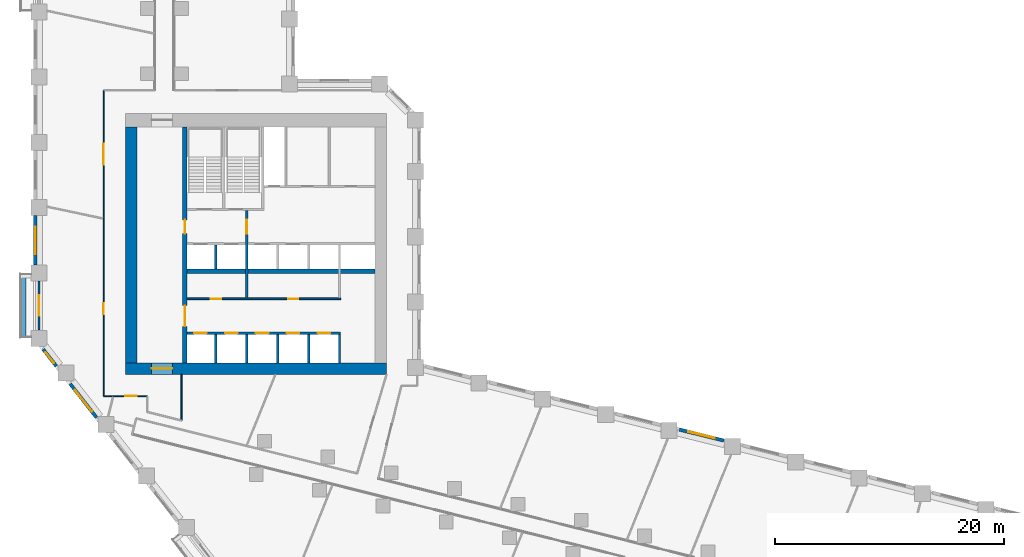
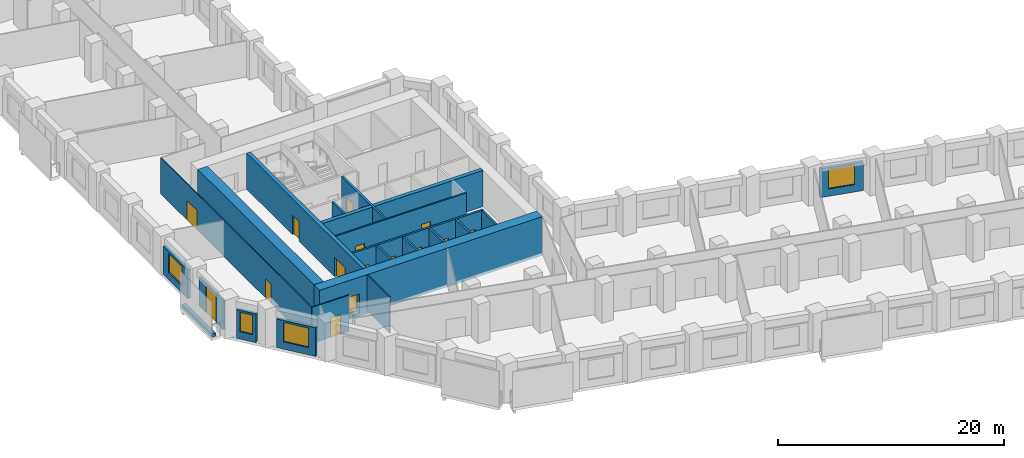
# One storey, part 4 of 11: 22 walls, 15 doors, 4 windows, 19 openings.
"""IFC4 building model written with IfcOpenShell, lengths in metres."""

from ifc_helpers import new_model, si_unit, direction, frame, frame_2d, origin, place, context, subcontext, project, spatial, rectangle, extrude, material, layer, layer_set, type_object, element, fill, save


model = new_model("IFC4")

# Units and contexts
model_context = context("Model", 3, precision=1e-05, world=origin(), true_north=direction((0.0, 1.0)))
body_context = subcontext(model_context, "Body", "Model", "MODEL_VIEW")
ifc_project = project(units=[si_unit("LENGTHUNIT", "METRE"), si_unit("AREAUNIT", "SQUARE_METRE"), si_unit("VOLUMEUNIT", "CUBIC_METRE"), si_unit("PLANEANGLEUNIT", "RADIAN"), si_unit("MASSUNIT", "GRAM", prefix="KILO")], contexts=[model_context])

# Site, building, storey
site_placement = place(None, origin())
site = spatial("IfcSite", under=ifc_project, at=site_placement, CompositionType="ELEMENT")
building_placement = place(site_placement, origin())
building = spatial("IfcBuilding", under=site, at=building_placement, Name="Meshkara Civic Tower", CompositionType="ELEMENT")
storey_placement = place(building_placement, frame((0.0, 0.0, 37.199951171875)))
storey = spatial("IfcBuildingStorey", under=building, at=storey_placement, Name="L07", CompositionType="ELEMENT", Elevation=37.199951171875)

# Wall, openings, doors
ifc_material_1 = material(Name="Blockwork", Category="masonry")
ifc_layer_1 = layer(ifc_material_1, 0.14990234375)
ifc_layer_set_1 = layer_set([ifc_layer_1], Name="Core partition 150")
wall_type_1 = type_object("IfcWallType", Name="Core partition 150", PredefinedType="PARTITIONING", material=ifc_layer_set_1)
wall_1_placement = place(storey_placement, frame((13.39990234375, 20.699951171875, 0.0), z_axis=(0.0, 0.0, 1.0), x_axis=(1.0, 0.0, 0.0)))
wall_1 = element("IfcWall", 1, at=wall_1_placement, inside=storey, type_object=wall_type_1, Name="L07-C006", PredefinedType="PARTITIONING", context=body_context, shape_type="SweptSolid", body=[
    extrude(rectangle(XDim=13.400146484375, YDim=0.14990234375, at=frame_2d((6.7001953125, 0.0))), origin(), (0.0, 0.0, 1.0), 3.900146484375),
])
opening_1_placement = place(wall_1_placement, frame((2.050048828125, 0.0, 0.0)))
opening_1 = element("IfcOpeningElement", 2, at=opening_1_placement, cuts=wall_1, Name="Opening L07-K010", PredefinedType="OPENING", context=body_context, shape_type="SweptSolid", body=[
    extrude(rectangle(XDim=0.89990234375, YDim=2.10009765625, at=frame_2d((0.449951171875, 1.050048828125))), frame((0.0, 0.0849609375, 0.0), z_axis=(0.0, -1.0, 0.0), x_axis=(1.0, 0.0, 0.0)), (0.0, 0.0, 1.0), 0.169921875),
])
opening_2_placement = place(wall_1_placement, frame((8.800048828125, 0.0, 0.0)))
opening_2 = element("IfcOpeningElement", 3, at=opening_2_placement, cuts=wall_1, Name="Opening L07-K011", PredefinedType="OPENING", context=body_context, shape_type="SweptSolid", body=[
    extrude(rectangle(XDim=0.89990234375, YDim=2.10009765625, at=frame_2d((0.449951171875, 1.050048828125))), frame((0.0, 0.0849609375, 0.0), z_axis=(0.0, -1.0, 0.0), x_axis=(1.0, 0.0, 0.0)), (0.0, 0.0, 1.0), 0.169921875),
])
ifc_material_2 = material(Name="Timber door leaf in steel frame", Category="steel")
door_type_1 = type_object("IfcDoorType", Name="Core room door 900", OperationType="SINGLE_SWING_LEFT", PredefinedType="DOOR", material=ifc_material_2)
door_1_placement = place(opening_1_placement, origin())
door_1 = element("IfcDoor", 4, at=door_1_placement, inside=storey, type_object=door_type_1, Name="L07-K010", OperationType="SINGLE_SWING_RIGHT", OverallHeight=2.10009765625, OverallWidth=0.89990234375, PredefinedType="DOOR", context=body_context, shape_type="SweptSolid", body=[
    extrude(rectangle(XDim=0.89990234375, YDim=2.10009765625, at=frame_2d((0.449951171875, 1.050048828125))), frame((0.0, 0.02490234375, 0.0), z_axis=(0.0, -1.0, 0.0), x_axis=(1.0, 0.0, 0.0)), (0.0, 0.0, 1.0), 0.050048828125),
])
fill(opening_1, door_1)
door_2_placement = place(opening_2_placement, origin())
door_2 = element("IfcDoor", 5, at=door_2_placement, inside=storey, type_object=door_type_1, Name="L07-K011", OperationType="SINGLE_SWING_RIGHT", OverallHeight=2.10009765625, OverallWidth=0.89990234375, PredefinedType="DOOR", context=body_context, shape_type="SweptSolid", body=[
    extrude(rectangle(XDim=0.89990234375, YDim=2.10009765625, at=frame_2d((0.449951171875, 1.050048828125))), frame((0.0, 0.02490234375, 0.0), z_axis=(0.0, -1.0, 0.0), x_axis=(1.0, 0.0, 0.0)), (0.0, 0.0, 1.0), 0.050048828125),
])
fill(opening_2, door_2)

# Wall, opening, door
ifc_material_3 = material(Name="Concrete C80", Category="concrete")
ifc_layer_2 = layer(ifc_material_3, 1.0)
ifc_layer_set_2 = layer_set([ifc_layer_2], Name="Core ring wall 1000 C80")
wall_type_2 = type_object("IfcWallType", Name="Core ring wall 1000 C80", PredefinedType="SHEAR", material=ifc_layer_set_2)
wall_2_placement = place(storey_placement, frame((8.0, 14.60009765625, -0.300048828125), z_axis=(0.0, 0.0, 1.0), x_axis=(1.0, 0.0, 0.0)))
wall_2 = element("IfcWall", 6, at=wall_2_placement, inside=storey, type_object=wall_type_2, Name="L07-C001", PredefinedType="SHEAR", context=body_context, shape_type="SweptSolid", body=[
    extrude(rectangle(XDim=22.800048828125, YDim=1.0, at=frame_2d((11.39990234375, 0.0))), origin(), (0.0, 0.0, 1.0), 4.2001953125),
])
opening_3_placement = place(wall_2_placement, frame((2.300048828125, 0.0, 0.300048828125)))
opening_3 = element("IfcOpeningElement", 7, at=opening_3_placement, cuts=wall_2, Name="Opening L07-K021", PredefinedType="OPENING", context=body_context, shape_type="SweptSolid", body=[
    extrude(rectangle(XDim=1.800048828125, YDim=2.10009765625, at=frame_2d((0.89990234375, 1.050048828125))), frame((0.0, 0.510009765625, 0.0), z_axis=(0.0, -1.0, 0.0), x_axis=(1.0, 0.0, 0.0)), (0.0, 0.0, 1.0), 1.02001953125),
])
ifc_material_4 = material(Name="Fire-rated door leaf in steel frame", Category="steel")
door_type_2 = type_object("IfcDoorType", Name="Core double door 1800 EI 60", OperationType="DOUBLE_DOOR_SINGLE_SWING", PredefinedType="DOOR", material=ifc_material_4)
door_3_placement = place(opening_3_placement, origin())
door_3 = element("IfcDoor", 8, at=door_3_placement, inside=storey, type_object=door_type_2, Name="L07-K021", OperationType="DOUBLE_DOOR_SINGLE_SWING", OverallHeight=2.10009765625, OverallWidth=1.800048828125, PredefinedType="DOOR", context=body_context, shape_type="SweptSolid", body=[
    extrude(rectangle(XDim=1.800048828125, YDim=2.10009765625, at=frame_2d((0.89990234375, 1.050048828125))), frame((0.0, 0.02490234375, 0.0), z_axis=(0.0, -1.0, 0.0), x_axis=(1.0, 0.0, 0.0)), (0.0, 0.0, 1.0), 0.050048828125),
])
fill(opening_3, door_3)

# Walls
wall_3_placement = place(storey_placement, frame((8.5, 15.10009765625, -0.300048828125), z_axis=(0.0, 0.0, 1.0), x_axis=(0.0, 1.0, 0.0)))
element("IfcWall", 9, at=wall_3_placement, inside=storey, type_object=wall_type_2, Name="L07-C003", PredefinedType="SHEAR", context=body_context, shape_type="SweptSolid", body=[
    extrude(rectangle(XDim=20.599853515625, YDim=1.0, at=frame_2d((10.2998046875, 0.0))), origin(), (0.0, 0.0, 1.0), 4.2001953125),
])
ifc_material_5 = material(Name="Concrete C80", Category="concrete")
ifc_layer_3 = layer(ifc_material_5, 0.39990234375)
ifc_layer_set_3 = layer_set([ifc_layer_3], Name="Core shear wall 400 C80")
wall_type_3 = type_object("IfcWallType", Name="Core shear wall 400 C80", PredefinedType="SHEAR", material=ifc_layer_set_3)
wall_4_placement = place(storey_placement, frame((13.39990234375, 23.10009765625, 0.0), z_axis=(0.0, 0.0, 1.0), x_axis=(1.0, 0.0, 0.0)))
element("IfcWall", 10, at=wall_4_placement, inside=storey, type_object=wall_type_3, Name="L07-C007", PredefinedType="SHEAR", context=body_context, shape_type="SweptSolid", body=[
    extrude(rectangle(XDim=16.400146484375, YDim=0.39990234375, at=frame_2d((8.2001953125, 0.0))), origin(), (0.0, 0.0, 1.0), 3.900146484375),
])

# Wall, openings, doors
wall_5_placement = place(storey_placement, frame((13.199951171875, 15.10009765625, 0.0), z_axis=(0.0, 0.0, 1.0), x_axis=(0.0, 1.0, 0.0)))
wall_5 = element("IfcWall", 11, at=wall_5_placement, inside=storey, type_object=wall_type_3, Name="L07-C011", PredefinedType="SHEAR", context=body_context, shape_type="SweptSolid", body=[
    extrude(rectangle(XDim=20.599853515625, YDim=0.39990234375, at=frame_2d((10.2998046875, 0.0))), origin(), (0.0, 0.0, 1.0), 3.900146484375),
])
opening_4_placement = place(wall_5_placement, frame((3.199951171875, 0.0, 0.0)))
opening_4 = element("IfcOpeningElement", 12, at=opening_4_placement, cuts=wall_5, Name="Opening L07-K017", PredefinedType="OPENING", context=body_context, shape_type="SweptSolid", body=[
    extrude(rectangle(XDim=1.800048828125, YDim=2.10009765625, at=frame_2d((0.89990234375, 1.050048828125))), frame((0.0, 0.2099609375, 0.0), z_axis=(0.0, -1.0, 0.0), x_axis=(1.0, 0.0, 0.0)), (0.0, 0.0, 1.0), 0.419921875),
])
opening_5_placement = place(wall_5_placement, frame((11.300048828125, 0.0, 0.0)))
opening_5 = element("IfcOpeningElement", 13, at=opening_5_placement, cuts=wall_5, Name="Opening L07-K018", PredefinedType="OPENING", context=body_context, shape_type="SweptSolid", body=[
    extrude(rectangle(XDim=1.199951171875, YDim=2.10009765625, at=frame_2d((0.60009765625, 1.050048828125))), frame((0.0, 0.2099609375, 0.0), z_axis=(0.0, -1.0, 0.0), x_axis=(1.0, 0.0, 0.0)), (0.0, 0.0, 1.0), 0.419921875),
])
door_4_placement = place(opening_4_placement, origin())
door_4 = element("IfcDoor", 14, at=door_4_placement, inside=storey, type_object=door_type_2, Name="L07-K017", OperationType="DOUBLE_DOOR_SINGLE_SWING", OverallHeight=2.10009765625, OverallWidth=1.800048828125, PredefinedType="DOOR", context=body_context, shape_type="SweptSolid", body=[
    extrude(rectangle(XDim=1.800048828125, YDim=2.10009765625, at=frame_2d((0.89990234375, 1.050048828125))), frame((0.0, 0.02490234375, 0.0), z_axis=(0.0, -1.0, 0.0), x_axis=(1.0, 0.0, 0.0)), (0.0, 0.0, 1.0), 0.050048828125),
])
fill(opening_4, door_4)
ifc_material_6 = material(Name="Fire-rated door leaf in steel frame", Category="steel")
door_type_3 = type_object("IfcDoorType", Name="Fire-fighting lobby door 1200 EI 120", OperationType="SINGLE_SWING_LEFT", PredefinedType="DOOR", material=ifc_material_6)
door_5_placement = place(opening_5_placement, origin())
door_5 = element("IfcDoor", 15, at=door_5_placement, inside=storey, type_object=door_type_3, Name="L07-K018", OperationType="SINGLE_SWING_LEFT", OverallHeight=2.10009765625, OverallWidth=1.199951171875, PredefinedType="DOOR", context=body_context, shape_type="SweptSolid", body=[
    extrude(rectangle(XDim=1.199951171875, YDim=2.10009765625, at=frame_2d((0.60009765625, 1.050048828125))), frame((0.0, 0.02490234375, 0.0), z_axis=(0.0, -1.0, 0.0), x_axis=(1.0, 0.0, 0.0)), (0.0, 0.0, 1.0), 0.050048828125),
])
fill(opening_5, door_5)

# Wall, opening, door
ifc_material_7 = material(Name="Corridor wall 100")
ifc_layer_4 = layer(ifc_material_7, 0.10009765625)
ifc_layer_set_4 = layer_set([ifc_layer_4], Name="Corridor wall 100")
wall_type_4 = type_object("IfcWallType", Name="Corridor wall 100", PredefinedType="PARTITIONING", material=ifc_layer_set_4)
wall_6_placement = place(storey_placement, frame((6.10009765625, 12.199951171875, 0.0), z_axis=(0.0, 0.0, 1.0), x_axis=(1.0, 0.0, 0.0)))
wall_6 = element("IfcWall", 16, at=wall_6_placement, inside=storey, type_object=wall_type_4, Name="L07-W004", PredefinedType="PARTITIONING", context=body_context, shape_type="SweptSolid", body=[
    extrude(rectangle(XDim=3.7998046875, YDim=0.10009765625, at=frame_2d((1.89990234375, 0.0))), origin(), (0.0, 0.0, 1.0), 3.900146484375),
])
opening_6_placement = place(wall_6_placement, frame((1.902099609375, 0.0, 0.0)))
opening_6 = element("IfcOpeningElement", 17, at=opening_6_placement, cuts=wall_6, Name="Opening L07-D016", PredefinedType="OPENING", context=body_context, shape_type="SweptSolid", body=[
    extrude(rectangle(XDim=1.0, YDim=2.10009765625, at=frame_2d((0.5, 1.050048828125))), frame((0.0, 0.06005859375, 0.0), z_axis=(0.0, -1.0, 0.0), x_axis=(1.0, 0.0, 0.0)), (0.0, 0.0, 1.0), 0.1201171875),
])
ifc_material_8 = material(Name="Door 1000 x 2100")
door_type_4 = type_object("IfcDoorType", Name="Door 1000 x 2100", OperationType="SINGLE_SWING_LEFT", PredefinedType="DOOR", material=ifc_material_8)
door_6_placement = place(opening_6_placement, origin())
door_6 = element("IfcDoor", 18, at=door_6_placement, inside=storey, type_object=door_type_4, Name="L07-D016", OperationType="SINGLE_SWING_LEFT", OverallHeight=2.10009765625, OverallWidth=1.0, PredefinedType="DOOR", context=body_context, shape_type="SweptSolid", body=[
    extrude(rectangle(XDim=1.0, YDim=2.10009765625, at=frame_2d((0.5, 1.050048828125))), frame((0.0, 0.02490234375, 0.0), z_axis=(0.0, -1.0, 0.0), x_axis=(1.0, 0.0, 0.0)), (0.0, 0.0, 1.0), 0.050048828125),
])
fill(opening_6, door_6)

# Wall, openings, doors
wall_7_placement = place(storey_placement, frame((6.10009765625, 38.89990234375, 0.0), z_axis=(0.0, 0.0, 1.0), x_axis=(0.0, -1.0, 0.0)))
wall_7 = element("IfcWall", 19, at=wall_7_placement, inside=storey, type_object=wall_type_4, Name="L07-W005", PredefinedType="PARTITIONING", context=body_context, shape_type="SweptSolid", body=[
    extrude(rectangle(XDim=26.699951171875, YDim=0.10009765625, at=frame_2d((13.35009765625, 0.0))), origin(), (0.0, 0.0, 1.0), 3.900146484375),
])
opening_7_placement = place(wall_7_placement, frame((18.568115234375, 0.0, 0.0)))
opening_7 = element("IfcOpeningElement", 20, at=opening_7_placement, cuts=wall_7, Name="Opening L07-D017", PredefinedType="OPENING", context=body_context, shape_type="SweptSolid", body=[
    extrude(rectangle(XDim=1.0, YDim=2.10009765625, at=frame_2d((0.5, 1.050048828125))), frame((0.0, 0.06005859375, 0.0), z_axis=(0.0, -1.0, 0.0), x_axis=(1.0, 0.0, 0.0)), (0.0, 0.0, 1.0), 0.1201171875),
])
opening_8_placement = place(wall_7_placement, frame((4.679931640625, 0.0, 0.0)))
opening_8 = element("IfcOpeningElement", 21, at=opening_8_placement, cuts=wall_7, Name="Opening L07-D018", PredefinedType="OPENING", context=body_context, shape_type="SweptSolid", body=[
    extrude(rectangle(XDim=1.800048828125, YDim=2.10009765625, at=frame_2d((0.89990234375, 1.050048828125))), frame((0.0, 0.06005859375, 0.0), z_axis=(0.0, -1.0, 0.0), x_axis=(1.0, 0.0, 0.0)), (0.0, 0.0, 1.0), 0.1201171875),
])
door_7_placement = place(opening_7_placement, origin())
door_7 = element("IfcDoor", 22, at=door_7_placement, inside=storey, type_object=door_type_4, Name="L07-D017", OperationType="SINGLE_SWING_LEFT", OverallHeight=2.10009765625, OverallWidth=1.0, PredefinedType="DOOR", context=body_context, shape_type="SweptSolid", body=[
    extrude(rectangle(XDim=1.0, YDim=2.10009765625, at=frame_2d((0.5, 1.050048828125))), frame((0.0, 0.02490234375, 0.0), z_axis=(0.0, -1.0, 0.0), x_axis=(1.0, 0.0, 0.0)), (0.0, 0.0, 1.0), 0.050048828125),
])
fill(opening_7, door_7)
ifc_material_9 = material(Name="Door pair 1800 x 2100")
door_type_5 = type_object("IfcDoorType", Name="Door pair 1800 x 2100", OperationType="SINGLE_SWING_LEFT", PredefinedType="DOOR", material=ifc_material_9)
door_8_placement = place(opening_8_placement, origin())
door_8 = element("IfcDoor", 23, at=door_8_placement, inside=storey, type_object=door_type_5, Name="L07-D018", OperationType="DOUBLE_DOOR_SINGLE_SWING", OverallHeight=2.10009765625, OverallWidth=1.800048828125, PredefinedType="DOOR", context=body_context, shape_type="SweptSolid", body=[
    extrude(rectangle(XDim=1.800048828125, YDim=2.10009765625, at=frame_2d((0.89990234375, 1.050048828125))), frame((0.0, 0.02490234375, 0.0), z_axis=(0.0, -1.0, 0.0), x_axis=(1.0, 0.0, 0.0)), (0.0, 0.0, 1.0), 0.050048828125),
])
fill(opening_8, door_8)

# Wall
wall_8_placement = place(storey_placement, frame((12.89990234375, 10.077880859375, 0.0), z_axis=(0.0, 0.0, 1.0), x_axis=(0.0, 1.0, 0.0)))
element("IfcWall", 24, at=wall_8_placement, inside=storey, type_object=wall_type_4, Name="L07-W014", PredefinedType="PARTITIONING", context=body_context, shape_type="SweptSolid", body=[
    extrude(rectangle(XDim=4.022216796875, YDim=0.10009765625, at=frame_2d((2.01123046875, 0.0))), origin(), (0.0, 0.0, 1.0), 3.900146484375),
])

# Wall, opening, window
ifc_material_10 = material(Name="Insulated infill panel with bronze anodised aluminium cladding", Category="aluminium")
ifc_layer_5 = layer(ifc_material_10, 0.300048828125)
ifc_layer_set_5 = layer_set([ifc_layer_5], Name="EXTERNAL INFILL WALL 300")
wall_type_5 = type_object("IfcWallType", Name="EXTERNAL INFILL WALL 300", PredefinedType="SOLIDWALL", material=ifc_layer_set_5)
wall_9_placement = place(storey_placement, frame((60.251953125, 8.321044921875, 0.0), z_axis=(0.0, 0.0, 1.0), x_axis=(-0.970303772127, 0.241889623168, 0.0)))
wall_9 = element("IfcWall", 25, at=wall_9_placement, inside=storey, type_object=wall_type_5, Name="External wall", PredefinedType="SOLIDWALL", context=body_context, shape_type="SweptSolid", body=[
    extrude(rectangle(XDim=4.001953125, YDim=0.300048828125, at=frame_2d((2.0009765625, 0.0))), origin(), (0.0, 0.0, 1.0), 3.10009765625),
])
opening_9_placement = place(wall_9_placement, frame((0.801025390625, 0.0, 0.800048828125)))
opening_9 = element("IfcOpeningElement", 26, at=opening_9_placement, cuts=wall_9, Name="Opening W7", PredefinedType="OPENING", context=body_context, shape_type="SweptSolid", body=[
    extrude(rectangle(XDim=2.39990234375, YDim=2.10009765625, at=frame_2d((1.199951171875, 1.050048828125))), frame((0.0, 0.159912109375, 0.0), z_axis=(0.0, -1.0, 0.0), x_axis=(1.0, 0.0, 0.0)), (0.0, 0.0, 1.0), 0.320068359375),
])
ifc_material_11 = material(Name="Tinted double glazing", Category="glass")
window_type_1 = type_object("IfcWindowType", Name="WINDOW 2400x2100", PartitioningType="DOUBLE_PANEL_VERTICAL", PredefinedType="WINDOW", material=ifc_material_11)
window_1_placement = place(opening_9_placement, origin())
window_1 = element("IfcWindow", 27, at=window_1_placement, inside=storey, type_object=window_type_1, Name="Window", OverallHeight=2.10009765625, OverallWidth=2.39990234375, PartitioningType="DOUBLE_PANEL_VERTICAL", PredefinedType="WINDOW", context=body_context, shape_type="SweptSolid", body=[
    extrude(rectangle(XDim=2.39990234375, YDim=2.10009765625, at=frame_2d((1.199951171875, 1.050048828125))), frame((0.0, 0.030029296875, 0.0), z_axis=(0.0, -1.0, 0.0), x_axis=(1.0, 0.0, 0.0)), (0.0, 0.0, 1.0), 0.06005859375),
])
fill(opening_9, window_1)

wall_10_placement = place(storey_placement, frame((0.14990234375, 27.955078125, 0.0), z_axis=(0.0, 0.0, 1.0), x_axis=(0.0, -1.0, 0.0)))
wall_10 = element("IfcWall", 28, at=wall_10_placement, inside=storey, type_object=wall_type_5, Name="External wall", PredefinedType="SOLIDWALL", context=body_context, shape_type="SweptSolid", body=[
    extrude(rectangle(XDim=4.300048828125, YDim=0.300048828125, at=frame_2d((2.14990234375, 0.0))), origin(), (0.0, 0.0, 1.0), 3.10009765625),
])
opening_10_placement = place(wall_10_placement, frame((0.949951171875, 0.0, 0.800048828125)))
opening_10 = element("IfcOpeningElement", 29, at=opening_10_placement, cuts=wall_10, Name="Opening W7", PredefinedType="OPENING", context=body_context, shape_type="SweptSolid", body=[
    extrude(rectangle(XDim=2.39990234375, YDim=2.10009765625, at=frame_2d((1.199951171875, 1.050048828125))), frame((0.0, 0.159912109375, 0.0), z_axis=(0.0, -1.0, 0.0), x_axis=(1.0, 0.0, 0.0)), (0.0, 0.0, 1.0), 0.320068359375),
])
window_2_placement = place(opening_10_placement, origin())
window_2 = element("IfcWindow", 30, at=window_2_placement, inside=storey, type_object=window_type_1, Name="Window", OverallHeight=2.10009765625, OverallWidth=2.39990234375, PartitioningType="DOUBLE_PANEL_VERTICAL", PredefinedType="WINDOW", context=body_context, shape_type="SweptSolid", body=[
    extrude(rectangle(XDim=2.39990234375, YDim=2.10009765625, at=frame_2d((1.199951171875, 1.050048828125))), frame((0.0, 0.030029296875, 0.0), z_axis=(0.0, -1.0, 0.0), x_axis=(1.0, 0.0, 0.0)), (0.0, 0.0, 1.0), 0.06005859375),
])
fill(opening_10, window_2)

wall_11_placement = place(storey_placement, frame((0.818115234375, 16.2958984375, 0.0), z_axis=(0.0, 0.0, 1.0), x_axis=(0.615985155343, -0.787757759973, 0.0)))
wall_11 = element("IfcWall", 31, at=wall_11_placement, inside=storey, type_object=wall_type_5, Name="External wall", PredefinedType="SOLIDWALL", context=body_context, shape_type="SweptSolid", body=[
    extrude(rectangle(XDim=1.874755859375, YDim=0.300048828125, at=frame_2d((0.9375, 0.0))), origin(), (0.0, 0.0, 1.0), 3.10009765625),
])
opening_11_placement = place(wall_11_placement, frame((0.3369140625, 0.0, 0.800048828125)))
opening_11 = element("IfcOpeningElement", 32, at=opening_11_placement, cuts=wall_11, Name="Opening W3", PredefinedType="OPENING", context=body_context, shape_type="SweptSolid", body=[
    extrude(rectangle(XDim=1.199951171875, YDim=2.10009765625, at=frame_2d((0.60009765625, 1.050048828125))), frame((0.0, 0.159912109375, 0.0), z_axis=(0.0, -1.0, 0.0), x_axis=(1.0, 0.0, 0.0)), (0.0, 0.0, 1.0), 0.320068359375),
])
ifc_material_12 = material(Name="Tinted double glazing", Category="glass")
window_type_2 = type_object("IfcWindowType", Name="WINDOW 1200x2100", PartitioningType="SINGLE_PANEL", PredefinedType="WINDOW", material=ifc_material_12)
window_3_placement = place(opening_11_placement, origin())
window_3 = element("IfcWindow", 33, at=window_3_placement, inside=storey, type_object=window_type_2, Name="Window", OverallHeight=2.10009765625, OverallWidth=1.199951171875, PartitioningType="SINGLE_PANEL", PredefinedType="WINDOW", context=body_context, shape_type="SweptSolid", body=[
    extrude(rectangle(XDim=1.199951171875, YDim=2.10009765625, at=frame_2d((0.60009765625, 1.050048828125))), frame((0.0, 0.030029296875, 0.0), z_axis=(0.0, -1.0, 0.0), x_axis=(1.0, 0.0, 0.0)), (0.0, 0.0, 1.0), 0.06005859375),
])
fill(opening_11, window_3)

wall_12_placement = place(storey_placement, frame((3.18310546875, 13.27001953125, 0.0), z_axis=(0.0, 0.0, 1.0), x_axis=(0.615564114897, -0.788086810225, 0.0)))
wall_12 = element("IfcWall", 34, at=wall_12_placement, inside=storey, type_object=wall_type_5, Name="External wall", PredefinedType="SOLIDWALL", context=body_context, shape_type="SweptSolid", body=[
    extrude(rectangle(XDim=3.734619140625, YDim=0.300048828125, at=frame_2d((1.8671875, 0.0))), origin(), (0.0, 0.0, 1.0), 3.10009765625),
])
opening_12_placement = place(wall_12_placement, frame((0.6669921875, 0.0, 0.800048828125)))
opening_12 = element("IfcOpeningElement", 35, at=opening_12_placement, cuts=wall_12, Name="Opening W7", PredefinedType="OPENING", context=body_context, shape_type="SweptSolid", body=[
    extrude(rectangle(XDim=2.39990234375, YDim=2.10009765625, at=frame_2d((1.199951171875, 1.050048828125))), frame((0.0, 0.159912109375, 0.0), z_axis=(0.0, -1.0, 0.0), x_axis=(1.0, 0.0, 0.0)), (0.0, 0.0, 1.0), 0.320068359375),
])
window_4_placement = place(opening_12_placement, origin())
window_4 = element("IfcWindow", 36, at=window_4_placement, inside=storey, type_object=window_type_1, Name="Window", OverallHeight=2.10009765625, OverallWidth=2.39990234375, PartitioningType="DOUBLE_PANEL_VERTICAL", PredefinedType="WINDOW", context=body_context, shape_type="SweptSolid", body=[
    extrude(rectangle(XDim=2.39990234375, YDim=2.10009765625, at=frame_2d((1.199951171875, 1.050048828125))), frame((0.0, 0.030029296875, 0.0), z_axis=(0.0, -1.0, 0.0), x_axis=(1.0, 0.0, 0.0)), (0.0, 0.0, 1.0), 0.06005859375),
])
fill(opening_12, window_4)

# Wall, opening, door
ifc_material_13 = material(Name="Insulated infill panel with bronze anodised aluminium cladding", Category="aluminium")
ifc_layer_6 = layer(ifc_material_13, 0.199951171875)
ifc_layer_set_6 = layer_set([ifc_layer_6], Name="LOGGIA BACK WALL 200")
wall_type_6 = type_object("IfcWallType", Name="LOGGIA BACK WALL 200", PredefinedType="SOLIDWALL", material=ifc_layer_set_6)
wall_13_placement = place(storey_placement, frame((0.449951171875, 22.25390625, 0.0), z_axis=(0.0, 0.0, 1.0), x_axis=(0.0, -1.0, 0.0)))
wall_13 = element("IfcWall", 37, at=wall_13_placement, inside=storey, type_object=wall_type_6, Name="Loggia wall", PredefinedType="SOLIDWALL", context=body_context, shape_type="SweptSolid", body=[
    extrude(rectangle(XDim=4.2978515625, YDim=0.199951171875, at=frame_2d((2.14892578125, 0.0))), origin(), (0.0, 0.0, 1.0), 3.10009765625),
])
opening_13_placement = place(wall_13_placement, frame((1.2490234375, 0.0, 0.0)))
opening_13 = element("IfcOpeningElement", 38, at=opening_13_placement, cuts=wall_13, Name="Opening L07-L002", PredefinedType="OPENING", context=body_context, shape_type="SweptSolid", body=[
    extrude(rectangle(XDim=1.800048828125, YDim=2.89990234375, at=frame_2d((0.89990234375, 1.449951171875))), frame((0.0, 0.10986328125, 0.0), z_axis=(0.0, -1.0, 0.0), x_axis=(1.0, 0.0, 0.0)), (0.0, 0.0, 1.0), 0.219970703125),
])
ifc_material_14 = material(Name="Tinted double glazing", Category="glass")
door_type_6 = type_object("IfcDoorType", Name="LOGGIA DOOR 1800x2900", OperationType="DOUBLE_DOOR_SINGLE_SWING", PredefinedType="DOOR", material=ifc_material_14)
door_9_placement = place(opening_13_placement, origin())
door_9 = element("IfcDoor", 39, at=door_9_placement, inside=storey, type_object=door_type_6, Name="L07-L002", OperationType="DOUBLE_DOOR_SINGLE_SWING", OverallHeight=2.89990234375, OverallWidth=1.800048828125, PredefinedType="DOOR", context=body_context, shape_type="SweptSolid", body=[
    extrude(rectangle(XDim=1.800048828125, YDim=2.89990234375, at=frame_2d((0.89990234375, 1.449951171875))), frame((0.0, 0.02490234375, 0.0), z_axis=(0.0, -1.0, 0.0), x_axis=(1.0, 0.0, 0.0)), (0.0, 0.0, 1.0), 0.050048828125),
])
fill(opening_13, door_9)

# Wall
ifc_material_15 = material(Name="Concrete C40", Category="concrete")
ifc_layer_7 = layer(ifc_material_15, 0.39990234375)
ifc_layer_set_7 = layer_set([ifc_layer_7], Name="PLANTER TRAY")
wall_type_7 = type_object("IfcWallType", Name="PLANTER TRAY", PredefinedType="SOLIDWALL", material=ifc_layer_set_7)
wall_14_placement = place(storey_placement, frame((-0.8798828125, 22.784912109375, 0.0), z_axis=(0.0, 0.0, 1.0), x_axis=(0.0, -1.0, 0.0)))
element("IfcWall", 40, at=wall_14_placement, inside=storey, type_object=wall_type_7, Name="Planter", PredefinedType="SOLIDWALL", context=body_context, shape_type="SweptSolid", body=[
    extrude(rectangle(XDim=5.35986328125, YDim=0.39990234375, at=frame_2d((2.679931640625, 0.0))), origin(), (0.0, 0.0, 1.0), 0.300048828125),
])

# Wall, openings, doors
ifc_material_16 = material(Name="Concrete C40/50", Category="concrete")
ifc_layer_8 = layer(ifc_material_16, 0.199951171875)
ifc_layer_set_8 = layer_set([ifc_layer_8], Name="Shaft wall 200 C40/50")
wall_type_8 = type_object("IfcWallType", Name="Shaft wall 200 C40/50", PredefinedType="SOLIDWALL", material=ifc_layer_set_8)
wall_15_placement = place(storey_placement, frame((13.39990234375, 17.699951171875, 0.0), z_axis=(0.0, 0.0, 1.0), x_axis=(1.0, 0.0, 0.0)))
wall_15 = element("IfcWall", 41, at=wall_15_placement, inside=storey, type_object=wall_type_8, Name="L07-C005", PredefinedType="SOLIDWALL", context=body_context, shape_type="SweptSolid", body=[
    extrude(rectangle(XDim=13.400146484375, YDim=0.199951171875, at=frame_2d((6.7001953125, 0.0))), origin(), (0.0, 0.0, 1.0), 3.900146484375),
])
opening_14_placement = place(wall_15_placement, frame((0.60009765625, 0.0, 0.0)))
opening_14 = element("IfcOpeningElement", 42, at=opening_14_placement, cuts=wall_15, Name="Opening L07-K001", PredefinedType="OPENING", context=body_context, shape_type="SweptSolid", body=[
    extrude(rectangle(XDim=1.10009765625, YDim=2.10009765625, at=frame_2d((0.550048828125, 1.050048828125))), frame((0.0, 0.10986328125, 0.0), z_axis=(0.0, -1.0, 0.0), x_axis=(1.0, 0.0, 0.0)), (0.0, 0.0, 1.0), 0.219970703125),
])
opening_15_placement = place(wall_15_placement, frame((3.300048828125, 0.0, 0.0)))
opening_15 = element("IfcOpeningElement", 43, at=opening_15_placement, cuts=wall_15, Name="Opening L07-K002", PredefinedType="OPENING", context=body_context, shape_type="SweptSolid", body=[
    extrude(rectangle(XDim=1.10009765625, YDim=2.10009765625, at=frame_2d((0.550048828125, 1.050048828125))), frame((0.0, 0.10986328125, 0.0), z_axis=(0.0, -1.0, 0.0), x_axis=(1.0, 0.0, 0.0)), (0.0, 0.0, 1.0), 0.219970703125),
])
opening_16_placement = place(wall_15_placement, frame((6.0, 0.0, 0.0)))
opening_16 = element("IfcOpeningElement", 44, at=opening_16_placement, cuts=wall_15, Name="Opening L07-K003", PredefinedType="OPENING", context=body_context, shape_type="SweptSolid", body=[
    extrude(rectangle(XDim=1.10009765625, YDim=2.10009765625, at=frame_2d((0.550048828125, 1.050048828125))), frame((0.0, 0.10986328125, 0.0), z_axis=(0.0, -1.0, 0.0), x_axis=(1.0, 0.0, 0.0)), (0.0, 0.0, 1.0), 0.219970703125),
])
opening_17_placement = place(wall_15_placement, frame((8.699951171875, 0.0, 0.0)))
opening_17 = element("IfcOpeningElement", 45, at=opening_17_placement, cuts=wall_15, Name="Opening L07-K004", PredefinedType="OPENING", context=body_context, shape_type="SweptSolid", body=[
    extrude(rectangle(XDim=1.10009765625, YDim=2.10009765625, at=frame_2d((0.550048828125, 1.050048828125))), frame((0.0, 0.10986328125, 0.0), z_axis=(0.0, -1.0, 0.0), x_axis=(1.0, 0.0, 0.0)), (0.0, 0.0, 1.0), 0.219970703125),
])
opening_18_placement = place(wall_15_placement, frame((11.39990234375, 0.0, 0.0)))
opening_18 = element("IfcOpeningElement", 46, at=opening_18_placement, cuts=wall_15, Name="Opening L07-K005", PredefinedType="OPENING", context=body_context, shape_type="SweptSolid", body=[
    extrude(rectangle(XDim=1.10009765625, YDim=2.10009765625, at=frame_2d((0.550048828125, 1.050048828125))), frame((0.0, 0.10986328125, 0.0), z_axis=(0.0, -1.0, 0.0), x_axis=(1.0, 0.0, 0.0)), (0.0, 0.0, 1.0), 0.219970703125),
])
ifc_material_17 = material(Name="Stainless steel landing door", Category="steel")
door_type_7 = type_object("IfcDoorType", Name="Lift landing door 1100", OperationType="SLIDING_TO_LEFT", PredefinedType="DOOR", material=ifc_material_17)
door_10_placement = place(opening_14_placement, origin())
door_10 = element("IfcDoor", 47, at=door_10_placement, inside=storey, type_object=door_type_7, Name="L07-K001", OperationType="SLIDING_TO_LEFT", OverallHeight=2.10009765625, OverallWidth=1.10009765625, PredefinedType="DOOR", context=body_context, shape_type="SweptSolid", body=[
    extrude(rectangle(XDim=1.10009765625, YDim=2.10009765625, at=frame_2d((0.550048828125, 1.050048828125))), frame((0.0, 0.02490234375, 0.0), z_axis=(0.0, -1.0, 0.0), x_axis=(1.0, 0.0, 0.0)), (0.0, 0.0, 1.0), 0.050048828125),
])
fill(opening_14, door_10)
door_11_placement = place(opening_15_placement, origin())
door_11 = element("IfcDoor", 48, at=door_11_placement, inside=storey, type_object=door_type_7, Name="L07-K002", OperationType="SLIDING_TO_LEFT", OverallHeight=2.10009765625, OverallWidth=1.10009765625, PredefinedType="DOOR", context=body_context, shape_type="SweptSolid", body=[
    extrude(rectangle(XDim=1.10009765625, YDim=2.10009765625, at=frame_2d((0.550048828125, 1.050048828125))), frame((0.0, 0.02490234375, 0.0), z_axis=(0.0, -1.0, 0.0), x_axis=(1.0, 0.0, 0.0)), (0.0, 0.0, 1.0), 0.050048828125),
])
fill(opening_15, door_11)
door_12_placement = place(opening_16_placement, origin())
door_12 = element("IfcDoor", 49, at=door_12_placement, inside=storey, type_object=door_type_7, Name="L07-K003", OperationType="SLIDING_TO_LEFT", OverallHeight=2.10009765625, OverallWidth=1.10009765625, PredefinedType="DOOR", context=body_context, shape_type="SweptSolid", body=[
    extrude(rectangle(XDim=1.10009765625, YDim=2.10009765625, at=frame_2d((0.550048828125, 1.050048828125))), frame((0.0, 0.02490234375, 0.0), z_axis=(0.0, -1.0, 0.0), x_axis=(1.0, 0.0, 0.0)), (0.0, 0.0, 1.0), 0.050048828125),
])
fill(opening_16, door_12)
door_13_placement = place(opening_17_placement, origin())
door_13 = element("IfcDoor", 50, at=door_13_placement, inside=storey, type_object=door_type_7, Name="L07-K004", OperationType="SLIDING_TO_LEFT", OverallHeight=2.10009765625, OverallWidth=1.10009765625, PredefinedType="DOOR", context=body_context, shape_type="SweptSolid", body=[
    extrude(rectangle(XDim=1.10009765625, YDim=2.10009765625, at=frame_2d((0.550048828125, 1.050048828125))), frame((0.0, 0.02490234375, 0.0), z_axis=(0.0, -1.0, 0.0), x_axis=(1.0, 0.0, 0.0)), (0.0, 0.0, 1.0), 0.050048828125),
])
fill(opening_17, door_13)
door_14_placement = place(opening_18_placement, origin())
door_14 = element("IfcDoor", 51, at=door_14_placement, inside=storey, type_object=door_type_7, Name="L07-K005", OperationType="SLIDING_TO_LEFT", OverallHeight=2.10009765625, OverallWidth=1.10009765625, PredefinedType="DOOR", context=body_context, shape_type="SweptSolid", body=[
    extrude(rectangle(XDim=1.10009765625, YDim=2.10009765625, at=frame_2d((0.550048828125, 1.050048828125))), frame((0.0, 0.02490234375, 0.0), z_axis=(0.0, -1.0, 0.0), x_axis=(1.0, 0.0, 0.0)), (0.0, 0.0, 1.0), 0.050048828125),
])
fill(opening_18, door_14)

# Walls
wall_16_placement = place(storey_placement, frame((15.89990234375, 15.10009765625, 0.0), z_axis=(0.0, 0.0, 1.0), x_axis=(0.0, 1.0, 0.0)))
element("IfcWall", 52, at=wall_16_placement, inside=storey, type_object=wall_type_8, Name="L07-C012", PredefinedType="SOLIDWALL", context=body_context, shape_type="SweptSolid", body=[
    extrude(rectangle(XDim=2.5, YDim=0.199951171875, at=frame_2d((1.25, 0.0))), origin(), (0.0, 0.0, 1.0), 3.900146484375),
])
wall_17_placement = place(storey_placement, frame((15.89990234375, 23.300048828125, 0.0), z_axis=(0.0, 0.0, 1.0), x_axis=(0.0, 1.0, 0.0)))
element("IfcWall", 53, at=wall_17_placement, inside=storey, type_object=wall_type_8, Name="L07-C013", PredefinedType="SOLIDWALL", context=body_context, shape_type="SweptSolid", body=[
    extrude(rectangle(XDim=2.099853515625, YDim=0.199951171875, at=frame_2d((1.0498046875, 0.0))), origin(), (0.0, 0.0, 1.0), 3.900146484375),
])
wall_18_placement = place(storey_placement, frame((18.60009765625, 15.10009765625, 0.0), z_axis=(0.0, 0.0, 1.0), x_axis=(0.0, 1.0, 0.0)))
element("IfcWall", 54, at=wall_18_placement, inside=storey, type_object=wall_type_8, Name="L07-C015", PredefinedType="SOLIDWALL", context=body_context, shape_type="SweptSolid", body=[
    extrude(rectangle(XDim=2.5, YDim=0.199951171875, at=frame_2d((1.25, 0.0))), origin(), (0.0, 0.0, 1.0), 3.900146484375),
])

# Wall, opening, door
wall_19_placement = place(storey_placement, frame((18.60009765625, 20.77490234375, 0.0), z_axis=(0.0, 0.0, 1.0), x_axis=(0.0, 1.0, 0.0)))
wall_19 = element("IfcWall", 55, at=wall_19_placement, inside=storey, type_object=wall_type_8, Name="L07-C016", PredefinedType="SOLIDWALL", context=body_context, shape_type="SweptSolid", body=[
    extrude(rectangle(XDim=7.625, YDim=0.199951171875, at=frame_2d((3.8125, 0.0))), origin(), (0.0, 0.0, 1.0), 3.900146484375),
])
opening_19_placement = place(wall_19_placement, frame((5.625, 0.0, 0.0)))
opening_19 = element("IfcOpeningElement", 56, at=opening_19_placement, cuts=wall_19, Name="Opening L07-K019", PredefinedType="OPENING", context=body_context, shape_type="SweptSolid", body=[
    extrude(rectangle(XDim=1.199951171875, YDim=2.10009765625, at=frame_2d((0.60009765625, 1.050048828125))), frame((0.0, 0.10986328125, 0.0), z_axis=(0.0, -1.0, 0.0), x_axis=(1.0, 0.0, 0.0)), (0.0, 0.0, 1.0), 0.219970703125),
])
door_15_placement = place(opening_19_placement, origin())
door_15 = element("IfcDoor", 57, at=door_15_placement, inside=storey, type_object=door_type_3, Name="L07-K019", OperationType="SINGLE_SWING_RIGHT", OverallHeight=2.10009765625, OverallWidth=1.199951171875, PredefinedType="DOOR", context=body_context, shape_type="SweptSolid", body=[
    extrude(rectangle(XDim=1.199951171875, YDim=2.10009765625, at=frame_2d((0.60009765625, 1.050048828125))), frame((0.0, 0.02490234375, 0.0), z_axis=(0.0, -1.0, 0.0), x_axis=(1.0, 0.0, 0.0)), (0.0, 0.0, 1.0), 0.050048828125),
])
fill(opening_19, door_15)

# Walls
for number, where, z_axis, x_axis, name in (
    (58, (21.300048828125, 15.10009765625, 0.0), (0.0, 0.0, 1.0), (0.0, 1.0, 0.0), "L07-C018"),
    (59, (24.0, 15.10009765625, 0.0), (0.0, 0.0, 1.0), (0.0, 1.0, 0.0), "L07-C021"),
    (60, (26.699951171875, 15.10009765625, 0.0), (0.0, 0.0, 1.0), (0.0, 1.0, 0.0), "L07-C024"),
):
    element("IfcWall", number, at=place(storey_placement, frame(where, z_axis=z_axis, x_axis=x_axis)), inside=storey, type_object=wall_type_8, Name=name, PredefinedType="SOLIDWALL", context=body_context, shape_type="SweptSolid", body=[
        extrude(rectangle(XDim=2.5, YDim=0.199951171875, at=frame_2d((1.25, 0.0))), origin(), (0.0, 0.0, 1.0), 3.900146484375),
    ])

save(model, "model.ifc")
